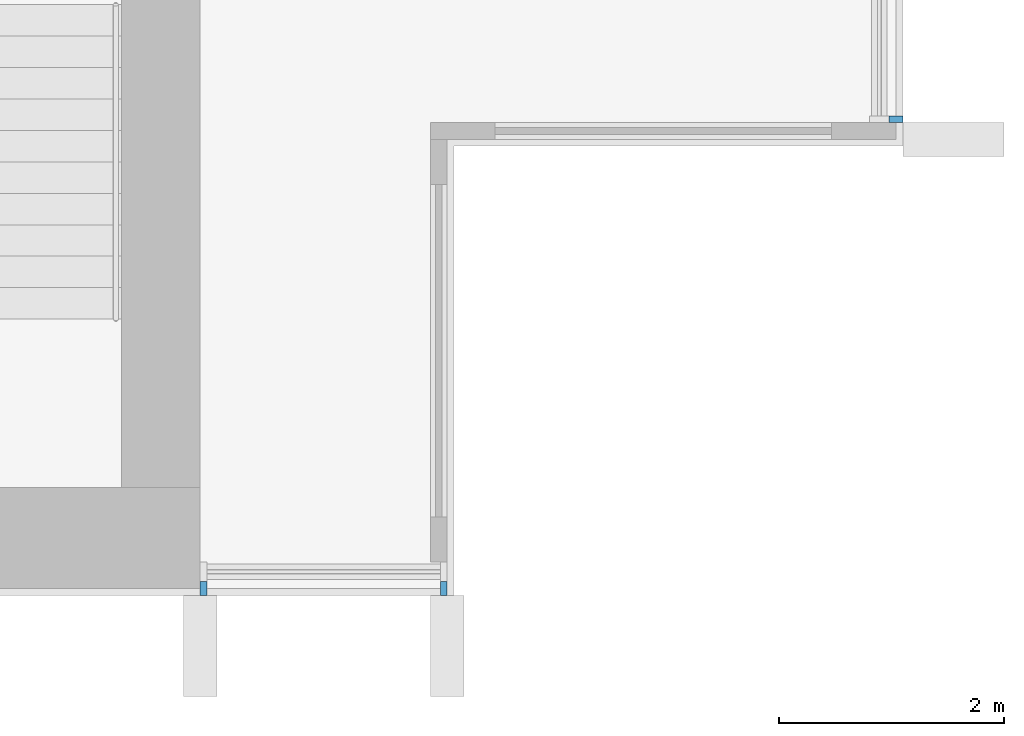
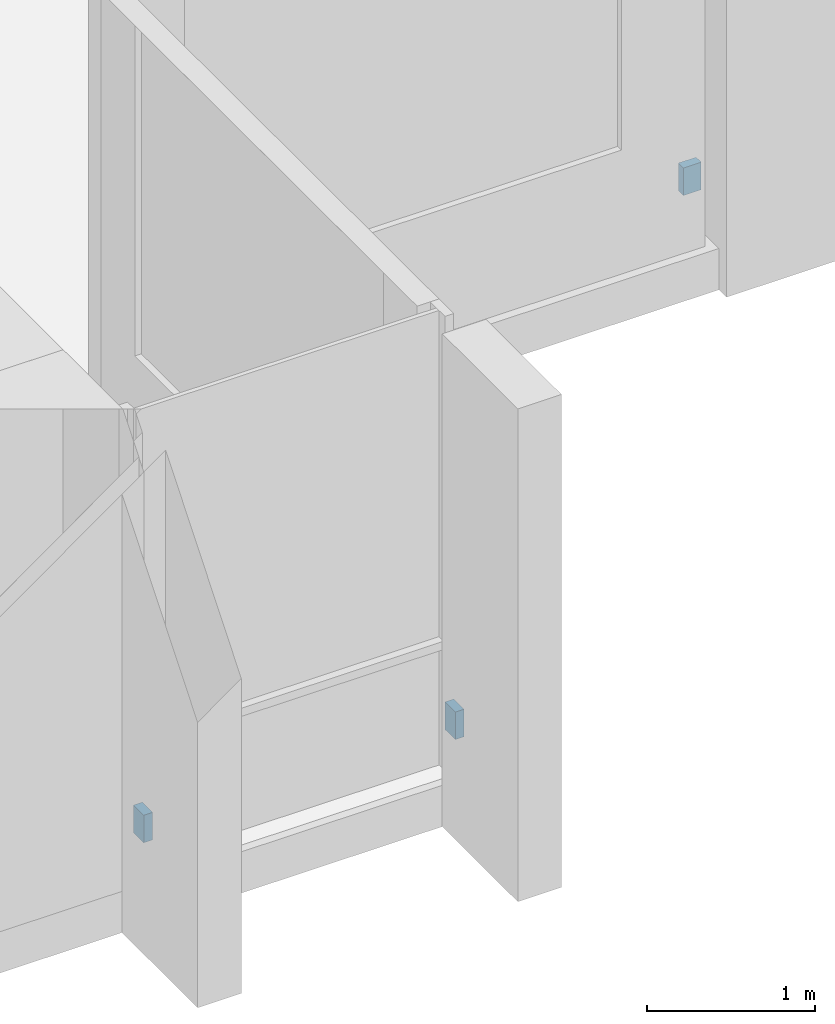
# One storey, part 14 of 17: 3 discrete accessories.
"""IFC4 building model written with IfcOpenShell, lengths in metres."""

from ifc_helpers import new_model, si_unit, direction, frame, origin, origin_2d, place, context, subcontext, project, spatial, rectangle, extrude, material, type_object, element, save


model = new_model("IFC4")

# Units and contexts
model_context = context("Model", 3, precision=1e-05, world=origin(), true_north=direction((0.0, 1.0)))
body_context = subcontext(model_context, "Body", "Model", "MODEL_VIEW")
ifc_project = project(units=[si_unit("LENGTHUNIT", "METRE"), si_unit("AREAUNIT", "SQUARE_METRE"), si_unit("VOLUMEUNIT", "CUBIC_METRE"), si_unit("PLANEANGLEUNIT", "RADIAN"), si_unit("MASSUNIT", "GRAM", prefix="KILO")], contexts=[model_context])

# Site, building, storey
site_placement = place(None, origin())
site = spatial("IfcSite", under=ifc_project, at=site_placement, CompositionType="ELEMENT")
building_placement = place(site_placement, origin())
building = spatial("IfcBuilding", under=site, at=building_placement, Name="Finial Court Residences", CompositionType="ELEMENT")
storey_placement = place(building_placement, frame((0.0, 0.0, 192.5)))
storey = spatial("IfcBuildingStorey", under=building, at=storey_placement, Name="L48", CompositionType="ELEMENT", Elevation=192.5)

# Discrete accessories
ifc_material = material(Name="Stainless steel 316", Category="steel")
discrete_accessory_type = type_object("IfcDiscreteAccessoryType", Name="Fin bracket, stainless steel 60 x 122 x 200", PredefinedType="BRACKET", material=ifc_material)
discrete_accessory_placement = place(storey_placement, frame((19.498779296875, -21.320068359375, 0.2998046875), z_axis=(0.0, 0.0, 1.0), x_axis=(1.0, 0.0, 0.0)))
element("IfcDiscreteAccessory", 1, at=discrete_accessory_placement, inside=storey, type_object=discrete_accessory_type, Name="E-L48-FIN-E7-BRK", PredefinedType="BRACKET", context=body_context, shape_type="SweptSolid", body=[
    extrude(rectangle(XDim=0.12255859375, YDim=0.06005859375, at=origin_2d()), origin(), (0.0, 0.0, 1.0), 0.199951171875),
])
for number, where, z_axis, x_axis, name in (
    (2, (13.330078125, -25.498779296875, 0.2998046875), (0.0, 0.0, 1.0), (1.0, 0.0, 0.0), "E-L48-FIN-S20-BRK"),
    (3, (15.469970703125, -25.498779296875, 0.2998046875), (0.0, 0.0, 1.0), (1.0, 0.0, 0.0), "E-L48-FIN-S21-BRK"),
):
    element("IfcDiscreteAccessory", number, at=place(storey_placement, frame(where, z_axis=z_axis, x_axis=x_axis)), inside=storey, type_object=discrete_accessory_type, Name=name, PredefinedType="BRACKET", context=body_context, shape_type="SweptSolid", body=[
        extrude(rectangle(XDim=0.06005859375, YDim=0.12255859375, at=origin_2d()), origin(), (0.0, 0.0, 1.0), 0.199951171875),
    ])

save(model, "model.ifc")
